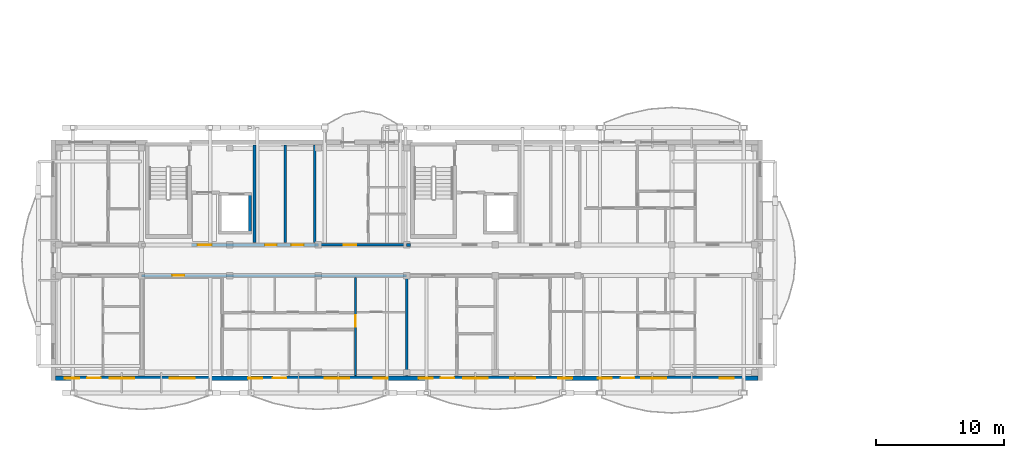
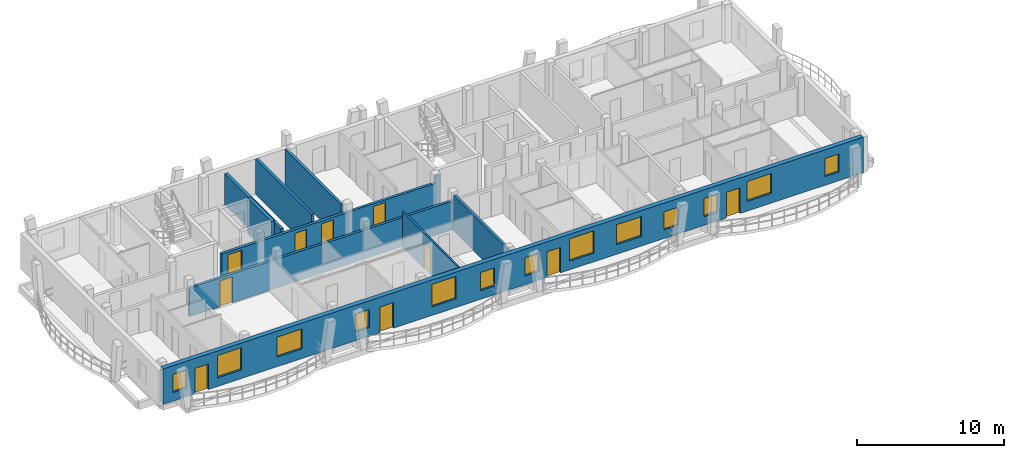
# One storey, part 18 of 52: 13 windows, 11 walls, 10 doors, 23 openings.
"""IFC4 building model written with IfcOpenShell, lengths in metres."""

from ifc_helpers import new_model, si_unit, direction, frame, frame_2d, origin, origin_with_axes, place, context, subcontext, project, spatial, rectangle, extrude, material, layer, layer_set, type_object, element, fill, save


model = new_model("IFC4")

# Units and contexts
model_context = context("Model", 3, precision=1e-05, world=origin(), true_north=direction((0.0, 1.0)))
body_context = subcontext(model_context, "Body", "Model", "MODEL_VIEW")
ifc_project = project(units=[si_unit("LENGTHUNIT", "METRE"), si_unit("AREAUNIT", "SQUARE_METRE"), si_unit("VOLUMEUNIT", "CUBIC_METRE"), si_unit("PLANEANGLEUNIT", "RADIAN"), si_unit("MASSUNIT", "GRAM", prefix="KILO")], contexts=[model_context])

# Site, building, storey
site_placement = place(None, origin())
site = spatial("IfcSite", under=ifc_project, at=site_placement, CompositionType="ELEMENT")
building_placement = place(site_placement, origin())
building = spatial("IfcBuilding", under=site, at=building_placement, Name="Zavelmont Quarter", CompositionType="ELEMENT")
storey_placement = place(building_placement, frame((0.0, 0.0, 14.39990234375)))
storey = spatial("IfcBuildingStorey", under=building, at=storey_placement, Name="L04", CompositionType="ELEMENT", Elevation=14.39990234375)

# Wall, openings, doors, windows
ifc_material_1 = material(Name="Natural Belgian limestone", Category="masonry")
ifc_layer_1 = layer(ifc_material_1, 0.360107421875)
ifc_layer_set_1 = layer_set([ifc_layer_1], Name="Natural Belgian limestone")
wall_type_1 = type_object("IfcWallType", Name="EW02", PredefinedType="STANDARD", material=ifc_layer_set_1)
wall_1_placement = place(storey_placement, frame((0.169921875, 0.0, 0.0), z_axis=(0.0, 0.0, 1.0), x_axis=(1.0, 0.0, 0.0)))
wall_1 = element("IfcWall", 1, at=wall_1_placement, inside=storey, type_object=wall_type_1, Name="L04 exterior limestone wall EW02", PredefinedType="STANDARD", context=body_context, shape_type="SweptSolid", body=[
    extrude(rectangle(XDim=54.860107421875, YDim=0.360107421875, at=frame_2d((27.43017578125, 0.0))), origin(), (0.0, 0.0, 1.0), 2.940185546875),
])
opening_1_placement = place(wall_1_placement, frame((2.48486328125, 0.0, 0.0)))
opening_1 = element("IfcOpeningElement", 2, at=opening_1_placement, cuts=wall_1, Name="Opening DR04A", PredefinedType="OPENING", context=body_context, shape_type="SweptSolid", body=[
    extrude(rectangle(XDim=1.050048828125, YDim=2.1201171875, at=frame_2d((0.52490234375, 1.06005859375))), frame((0.0, 0.19189453125, 0.0), z_axis=(0.0, -1.0, 0.0), x_axis=(1.0, 0.0, 0.0)), (0.0, 0.0, 1.0), 0.384033203125),
])
opening_2_placement = place(wall_1_placement, frame((16.98486328125, 0.0, 0.0)))
opening_2 = element("IfcOpeningElement", 3, at=opening_2_placement, cuts=wall_1, Name="Opening DR04A", PredefinedType="OPENING", context=body_context, shape_type="SweptSolid", body=[
    extrude(rectangle(XDim=1.050048828125, YDim=2.1201171875, at=frame_2d((0.52490234375, 1.06005859375))), frame((0.0, 0.19189453125, 0.0), z_axis=(0.0, -1.0, 0.0), x_axis=(1.0, 0.0, 0.0)), (0.0, 0.0, 1.0), 0.384033203125),
])
opening_3_placement = place(wall_1_placement, frame((30.084716796875, 0.0, 0.0)))
opening_3 = element("IfcOpeningElement", 4, at=opening_3_placement, cuts=wall_1, Name="Opening DR04A", PredefinedType="OPENING", context=body_context, shape_type="SweptSolid", body=[
    extrude(rectangle(XDim=1.050048828125, YDim=2.1201171875, at=frame_2d((0.52490234375, 1.06005859375))), frame((0.0, 0.19189453125, 0.0), z_axis=(0.0, -1.0, 0.0), x_axis=(1.0, 0.0, 0.0)), (0.0, 0.0, 1.0), 0.384033203125),
])
opening_4_placement = place(wall_1_placement, frame((44.14111328125, 0.0, 0.0)))
opening_4 = element("IfcOpeningElement", 5, at=opening_4_placement, cuts=wall_1, Name="Opening DR04A", PredefinedType="OPENING", context=body_context, shape_type="SweptSolid", body=[
    extrude(rectangle(XDim=1.050048828125, YDim=2.1201171875, at=frame_2d((0.52490234375, 1.06005859375))), frame((0.0, 0.19189453125, 0.0), z_axis=(0.0, -1.0, 0.0), x_axis=(1.0, 0.0, 0.0)), (0.0, 0.0, 1.0), 0.384033203125),
])
opening_5_placement = place(wall_1_placement, frame((0.75, 0.0, 0.719970703125)))
opening_5 = element("IfcOpeningElement", 6, at=opening_5_placement, cuts=wall_1, Name="Opening WN09", PredefinedType="OPENING", context=body_context, shape_type="SweptSolid", body=[
    extrude(rectangle(XDim=1.10009765625, YDim=1.5, at=frame_2d((0.550048828125, 0.75))), frame((0.0, 0.19189453125, 0.0), z_axis=(0.0, -1.0, 0.0), x_axis=(1.0, 0.0, 0.0)), (0.0, 0.0, 1.0), 0.384033203125),
])
opening_6_placement = place(wall_1_placement, frame((4.25, 0.0, 0.719970703125)))
opening_6 = element("IfcOpeningElement", 7, at=opening_6_placement, cuts=wall_1, Name="Opening WN20", PredefinedType="OPENING", context=body_context, shape_type="SweptSolid", body=[
    extrude(rectangle(XDim=1.89990234375, YDim=1.85009765625, at=frame_2d((0.949951171875, 0.925048828125))), frame((0.0, 0.19189453125, 0.0), z_axis=(0.0, -1.0, 0.0), x_axis=(1.0, 0.0, 0.0)), (0.0, 0.0, 1.0), 0.384033203125),
])
opening_7_placement = place(wall_1_placement, frame((8.925048828125, 0.0, 0.800048828125)))
opening_7 = element("IfcOpeningElement", 8, at=opening_7_placement, cuts=wall_1, Name="Opening WN24", PredefinedType="OPENING", context=body_context, shape_type="SweptSolid", body=[
    extrude(rectangle(XDim=1.949951171875, YDim=1.64990234375, at=frame_2d((0.97509765625, 0.824951171875))), frame((0.0, 0.19189453125, 0.0), z_axis=(0.0, -1.0, 0.0), x_axis=(1.0, 0.0, 0.0)), (0.0, 0.0, 1.0), 0.384033203125),
])
opening_8_placement = place(wall_1_placement, frame((15.050048828125, 0.0, 0.719970703125)))
opening_8 = element("IfcOpeningElement", 9, at=opening_8_placement, cuts=wall_1, Name="Opening WN09", PredefinedType="OPENING", context=body_context, shape_type="SweptSolid", body=[
    extrude(rectangle(XDim=1.10009765625, YDim=1.5, at=frame_2d((0.550048828125, 0.75))), frame((0.0, 0.19189453125, 0.0), z_axis=(0.0, -1.0, 0.0), x_axis=(1.0, 0.0, 0.0)), (0.0, 0.0, 1.0), 0.384033203125),
])
opening_9_placement = place(wall_1_placement, frame((21.050048828125, 0.0, 0.719970703125)))
opening_9 = element("IfcOpeningElement", 10, at=opening_9_placement, cuts=wall_1, Name="Opening WN20", PredefinedType="OPENING", context=body_context, shape_type="SweptSolid", body=[
    extrude(rectangle(XDim=1.89990234375, YDim=1.85009765625, at=frame_2d((0.949951171875, 0.925048828125))), frame((0.0, 0.19189453125, 0.0), z_axis=(0.0, -1.0, 0.0), x_axis=(1.0, 0.0, 0.0)), (0.0, 0.0, 1.0), 0.384033203125),
])
opening_10_placement = place(wall_1_placement, frame((24.85009765625, 0.0, 0.719970703125)))
opening_10 = element("IfcOpeningElement", 11, at=opening_10_placement, cuts=wall_1, Name="Opening WN09", PredefinedType="OPENING", context=body_context, shape_type="SweptSolid", body=[
    extrude(rectangle(XDim=1.10009765625, YDim=1.5, at=frame_2d((0.550048828125, 0.75))), frame((0.0, 0.19189453125, 0.0), z_axis=(0.0, -1.0, 0.0), x_axis=(1.0, 0.0, 0.0)), (0.0, 0.0, 1.0), 0.384033203125),
])
opening_11_placement = place(wall_1_placement, frame((28.35009765625, 0.0, 0.719970703125)))
opening_11 = element("IfcOpeningElement", 12, at=opening_11_placement, cuts=wall_1, Name="Opening WN09", PredefinedType="OPENING", context=body_context, shape_type="SweptSolid", body=[
    extrude(rectangle(XDim=1.10009765625, YDim=1.5, at=frame_2d((0.550048828125, 0.75))), frame((0.0, 0.19189453125, 0.0), z_axis=(0.0, -1.0, 0.0), x_axis=(1.0, 0.0, 0.0)), (0.0, 0.0, 1.0), 0.384033203125),
])
opening_12_placement = place(wall_1_placement, frame((31.85009765625, 0.0, 0.719970703125)))
opening_12 = element("IfcOpeningElement", 13, at=opening_12_placement, cuts=wall_1, Name="Opening WN20", PredefinedType="OPENING", context=body_context, shape_type="SweptSolid", body=[
    extrude(rectangle(XDim=1.89990234375, YDim=1.85009765625, at=frame_2d((0.949951171875, 0.925048828125))), frame((0.0, 0.19189453125, 0.0), z_axis=(0.0, -1.0, 0.0), x_axis=(1.0, 0.0, 0.0)), (0.0, 0.0, 1.0), 0.384033203125),
])
opening_13_placement = place(wall_1_placement, frame((35.52490234375, 0.0, 0.800048828125)))
opening_13 = element("IfcOpeningElement", 14, at=opening_13_placement, cuts=wall_1, Name="Opening WN24", PredefinedType="OPENING", context=body_context, shape_type="SweptSolid", body=[
    extrude(rectangle(XDim=1.949951171875, YDim=1.64990234375, at=frame_2d((0.97509765625, 0.824951171875))), frame((0.0, 0.19189453125, 0.0), z_axis=(0.0, -1.0, 0.0), x_axis=(1.0, 0.0, 0.0)), (0.0, 0.0, 1.0), 0.384033203125),
])
opening_14_placement = place(wall_1_placement, frame((39.25, 0.0, 0.719970703125)))
opening_14 = element("IfcOpeningElement", 15, at=opening_14_placement, cuts=wall_1, Name="Opening WN09", PredefinedType="OPENING", context=body_context, shape_type="SweptSolid", body=[
    extrude(rectangle(XDim=1.10009765625, YDim=1.5, at=frame_2d((0.550048828125, 0.75))), frame((0.0, 0.19189453125, 0.0), z_axis=(0.0, -1.0, 0.0), x_axis=(1.0, 0.0, 0.0)), (0.0, 0.0, 1.0), 0.384033203125),
])
opening_15_placement = place(wall_1_placement, frame((42.35009765625, 0.0, 0.719970703125)))
opening_15 = element("IfcOpeningElement", 16, at=opening_15_placement, cuts=wall_1, Name="Opening WN09", PredefinedType="OPENING", context=body_context, shape_type="SweptSolid", body=[
    extrude(rectangle(XDim=1.10009765625, YDim=1.5, at=frame_2d((0.550048828125, 0.75))), frame((0.0, 0.19189453125, 0.0), z_axis=(0.0, -1.0, 0.0), x_axis=(1.0, 0.0, 0.0)), (0.0, 0.0, 1.0), 0.384033203125),
])
opening_16_placement = place(wall_1_placement, frame((45.72509765625, 0.0, 0.800048828125)))
opening_16 = element("IfcOpeningElement", 17, at=opening_16_placement, cuts=wall_1, Name="Opening WN24", PredefinedType="OPENING", context=body_context, shape_type="SweptSolid", body=[
    extrude(rectangle(XDim=1.949951171875, YDim=1.64990234375, at=frame_2d((0.97509765625, 0.824951171875))), frame((0.0, 0.19189453125, 0.0), z_axis=(0.0, -1.0, 0.0), x_axis=(1.0, 0.0, 0.0)), (0.0, 0.0, 1.0), 0.384033203125),
])
opening_17_placement = place(wall_1_placement, frame((51.85009765625, 0.0, 0.719970703125)))
opening_17 = element("IfcOpeningElement", 18, at=opening_17_placement, cuts=wall_1, Name="Opening WN09", PredefinedType="OPENING", context=body_context, shape_type="SweptSolid", body=[
    extrude(rectangle(XDim=1.10009765625, YDim=1.5, at=frame_2d((0.550048828125, 0.75))), frame((0.0, 0.19189453125, 0.0), z_axis=(0.0, -1.0, 0.0), x_axis=(1.0, 0.0, 0.0)), (0.0, 0.0, 1.0), 0.384033203125),
])
ifc_material_2 = material(Name="Thermally broken aluminium and double safety glass", Category="aluminium")
door_type_1 = type_object("IfcDoorType", Name="DR04A", OperationType="NOTDEFINED", PredefinedType="DOOR", material=ifc_material_2)
door_1_placement = place(opening_1_placement, origin_with_axes())
door_1 = element("IfcDoor", 19, at=door_1_placement, inside=storey, type_object=door_type_1, Name="Block A L04 glazed balcony door", OperationType="SINGLE_SWING_RIGHT", OverallHeight=2.1201171875, OverallWidth=1.050048828125, PredefinedType="DOOR", context=body_context, shape_type="SweptSolid", body=[
    extrude(rectangle(XDim=1.050048828125, YDim=2.1201171875, at=frame_2d((0.52490234375, 1.06005859375))), frame((0.0, 0.02490234375, 0.0), z_axis=(0.0, -1.0, 0.0), x_axis=(1.0, 0.0, 0.0)), (0.0, 0.0, 1.0), 0.050048828125),
])
fill(opening_1, door_1)
door_2_placement = place(opening_2_placement, origin_with_axes())
door_2 = element("IfcDoor", 20, at=door_2_placement, inside=storey, type_object=door_type_1, Name="Block A L04 glazed balcony door", OperationType="SINGLE_SWING_RIGHT", OverallHeight=2.1201171875, OverallWidth=1.050048828125, PredefinedType="DOOR", context=body_context, shape_type="SweptSolid", body=[
    extrude(rectangle(XDim=1.050048828125, YDim=2.1201171875, at=frame_2d((0.52490234375, 1.06005859375))), frame((0.0, 0.02490234375, 0.0), z_axis=(0.0, -1.0, 0.0), x_axis=(1.0, 0.0, 0.0)), (0.0, 0.0, 1.0), 0.050048828125),
])
fill(opening_2, door_2)
door_3_placement = place(opening_3_placement, origin_with_axes())
door_3 = element("IfcDoor", 21, at=door_3_placement, inside=storey, type_object=door_type_1, Name="Block A L04 glazed balcony door", OperationType="SINGLE_SWING_RIGHT", OverallHeight=2.1201171875, OverallWidth=1.050048828125, PredefinedType="DOOR", context=body_context, shape_type="SweptSolid", body=[
    extrude(rectangle(XDim=1.050048828125, YDim=2.1201171875, at=frame_2d((0.52490234375, 1.06005859375))), frame((0.0, 0.02490234375, 0.0), z_axis=(0.0, -1.0, 0.0), x_axis=(1.0, 0.0, 0.0)), (0.0, 0.0, 1.0), 0.050048828125),
])
fill(opening_3, door_3)
door_4_placement = place(opening_4_placement, origin_with_axes())
door_4 = element("IfcDoor", 22, at=door_4_placement, inside=storey, type_object=door_type_1, Name="Block A L04 glazed balcony door", OperationType="SINGLE_SWING_RIGHT", OverallHeight=2.1201171875, OverallWidth=1.050048828125, PredefinedType="DOOR", context=body_context, shape_type="SweptSolid", body=[
    extrude(rectangle(XDim=1.050048828125, YDim=2.1201171875, at=frame_2d((0.52490234375, 1.06005859375))), frame((0.0, 0.02490234375, 0.0), z_axis=(0.0, -1.0, 0.0), x_axis=(1.0, 0.0, 0.0)), (0.0, 0.0, 1.0), 0.050048828125),
])
fill(opening_4, door_4)
ifc_material_3 = material(Name="Double low-E insulated glazing in thermally broken aluminium frame", Category="aluminium")
window_type_1 = type_object("IfcWindowType", Name="WN09", PartitioningType="SINGLE_PANEL", PredefinedType="WINDOW", material=ifc_material_3)
window_1_placement = place(opening_5_placement, origin_with_axes())
window_1 = element("IfcWindow", 23, at=window_1_placement, inside=storey, type_object=window_type_1, Name="L04 window WN09", OverallHeight=1.5, OverallWidth=1.10009765625, PartitioningType="SINGLE_PANEL", PredefinedType="WINDOW", context=body_context, shape_type="SweptSolid", body=[
    extrude(rectangle(XDim=1.10009765625, YDim=1.5, at=frame_2d((0.550048828125, 0.75))), frame((0.0, 0.030029296875, 0.0), z_axis=(0.0, -1.0, 0.0), x_axis=(1.0, 0.0, 0.0)), (0.0, 0.0, 1.0), 0.06005859375),
])
fill(opening_5, window_1)
window_2_placement = place(opening_8_placement, origin_with_axes())
window_2 = element("IfcWindow", 24, at=window_2_placement, inside=storey, type_object=window_type_1, Name="L04 window WN09", OverallHeight=1.5, OverallWidth=1.10009765625, PartitioningType="SINGLE_PANEL", PredefinedType="WINDOW", context=body_context, shape_type="SweptSolid", body=[
    extrude(rectangle(XDim=1.10009765625, YDim=1.5, at=frame_2d((0.550048828125, 0.75))), frame((0.0, 0.030029296875, 0.0), z_axis=(0.0, -1.0, 0.0), x_axis=(1.0, 0.0, 0.0)), (0.0, 0.0, 1.0), 0.06005859375),
])
fill(opening_8, window_2)
window_3_placement = place(opening_10_placement, origin_with_axes())
window_3 = element("IfcWindow", 25, at=window_3_placement, inside=storey, type_object=window_type_1, Name="L04 window WN09", OverallHeight=1.5, OverallWidth=1.10009765625, PartitioningType="SINGLE_PANEL", PredefinedType="WINDOW", context=body_context, shape_type="SweptSolid", body=[
    extrude(rectangle(XDim=1.10009765625, YDim=1.5, at=frame_2d((0.550048828125, 0.75))), frame((0.0, 0.030029296875, 0.0), z_axis=(0.0, -1.0, 0.0), x_axis=(1.0, 0.0, 0.0)), (0.0, 0.0, 1.0), 0.06005859375),
])
fill(opening_10, window_3)
window_4_placement = place(opening_11_placement, origin_with_axes())
window_4 = element("IfcWindow", 26, at=window_4_placement, inside=storey, type_object=window_type_1, Name="L04 window WN09", OverallHeight=1.5, OverallWidth=1.10009765625, PartitioningType="SINGLE_PANEL", PredefinedType="WINDOW", context=body_context, shape_type="SweptSolid", body=[
    extrude(rectangle(XDim=1.10009765625, YDim=1.5, at=frame_2d((0.550048828125, 0.75))), frame((0.0, 0.030029296875, 0.0), z_axis=(0.0, -1.0, 0.0), x_axis=(1.0, 0.0, 0.0)), (0.0, 0.0, 1.0), 0.06005859375),
])
fill(opening_11, window_4)
window_5_placement = place(opening_14_placement, origin_with_axes())
window_5 = element("IfcWindow", 27, at=window_5_placement, inside=storey, type_object=window_type_1, Name="L04 window WN09", OverallHeight=1.5, OverallWidth=1.10009765625, PartitioningType="SINGLE_PANEL", PredefinedType="WINDOW", context=body_context, shape_type="SweptSolid", body=[
    extrude(rectangle(XDim=1.10009765625, YDim=1.5, at=frame_2d((0.550048828125, 0.75))), frame((0.0, 0.030029296875, 0.0), z_axis=(0.0, -1.0, 0.0), x_axis=(1.0, 0.0, 0.0)), (0.0, 0.0, 1.0), 0.06005859375),
])
fill(opening_14, window_5)
window_6_placement = place(opening_15_placement, origin_with_axes())
window_6 = element("IfcWindow", 28, at=window_6_placement, inside=storey, type_object=window_type_1, Name="L04 window WN09", OverallHeight=1.5, OverallWidth=1.10009765625, PartitioningType="SINGLE_PANEL", PredefinedType="WINDOW", context=body_context, shape_type="SweptSolid", body=[
    extrude(rectangle(XDim=1.10009765625, YDim=1.5, at=frame_2d((0.550048828125, 0.75))), frame((0.0, 0.030029296875, 0.0), z_axis=(0.0, -1.0, 0.0), x_axis=(1.0, 0.0, 0.0)), (0.0, 0.0, 1.0), 0.06005859375),
])
fill(opening_15, window_6)
window_7_placement = place(opening_17_placement, origin_with_axes())
window_7 = element("IfcWindow", 29, at=window_7_placement, inside=storey, type_object=window_type_1, Name="L04 window WN09", OverallHeight=1.5, OverallWidth=1.10009765625, PartitioningType="SINGLE_PANEL", PredefinedType="WINDOW", context=body_context, shape_type="SweptSolid", body=[
    extrude(rectangle(XDim=1.10009765625, YDim=1.5, at=frame_2d((0.550048828125, 0.75))), frame((0.0, 0.030029296875, 0.0), z_axis=(0.0, -1.0, 0.0), x_axis=(1.0, 0.0, 0.0)), (0.0, 0.0, 1.0), 0.06005859375),
])
fill(opening_17, window_7)
window_type_2 = type_object("IfcWindowType", Name="WN20", PartitioningType="SINGLE_PANEL", PredefinedType="WINDOW", material=ifc_material_3)
window_8_placement = place(opening_6_placement, origin_with_axes())
window_8 = element("IfcWindow", 30, at=window_8_placement, inside=storey, type_object=window_type_2, Name="L04 window WN20", OverallHeight=1.85009765625, OverallWidth=1.89990234375, PartitioningType="SINGLE_PANEL", PredefinedType="WINDOW", context=body_context, shape_type="SweptSolid", body=[
    extrude(rectangle(XDim=1.89990234375, YDim=1.85009765625, at=frame_2d((0.949951171875, 0.925048828125))), frame((0.0, 0.030029296875, 0.0), z_axis=(0.0, -1.0, 0.0), x_axis=(1.0, 0.0, 0.0)), (0.0, 0.0, 1.0), 0.06005859375),
])
fill(opening_6, window_8)
window_9_placement = place(opening_9_placement, origin_with_axes())
window_9 = element("IfcWindow", 31, at=window_9_placement, inside=storey, type_object=window_type_2, Name="L04 window WN20", OverallHeight=1.85009765625, OverallWidth=1.89990234375, PartitioningType="SINGLE_PANEL", PredefinedType="WINDOW", context=body_context, shape_type="SweptSolid", body=[
    extrude(rectangle(XDim=1.89990234375, YDim=1.85009765625, at=frame_2d((0.949951171875, 0.925048828125))), frame((0.0, 0.030029296875, 0.0), z_axis=(0.0, -1.0, 0.0), x_axis=(1.0, 0.0, 0.0)), (0.0, 0.0, 1.0), 0.06005859375),
])
fill(opening_9, window_9)
window_10_placement = place(opening_12_placement, origin_with_axes())
window_10 = element("IfcWindow", 32, at=window_10_placement, inside=storey, type_object=window_type_2, Name="L04 window WN20", OverallHeight=1.85009765625, OverallWidth=1.89990234375, PartitioningType="SINGLE_PANEL", PredefinedType="WINDOW", context=body_context, shape_type="SweptSolid", body=[
    extrude(rectangle(XDim=1.89990234375, YDim=1.85009765625, at=frame_2d((0.949951171875, 0.925048828125))), frame((0.0, 0.030029296875, 0.0), z_axis=(0.0, -1.0, 0.0), x_axis=(1.0, 0.0, 0.0)), (0.0, 0.0, 1.0), 0.06005859375),
])
fill(opening_12, window_10)
window_type_3 = type_object("IfcWindowType", Name="WN24", PartitioningType="SINGLE_PANEL", PredefinedType="WINDOW", material=ifc_material_3)
window_11_placement = place(opening_7_placement, origin_with_axes())
window_11 = element("IfcWindow", 33, at=window_11_placement, inside=storey, type_object=window_type_3, Name="L04 window WN24", OverallHeight=1.64990234375, OverallWidth=1.949951171875, PartitioningType="SINGLE_PANEL", PredefinedType="WINDOW", context=body_context, shape_type="SweptSolid", body=[
    extrude(rectangle(XDim=1.949951171875, YDim=1.64990234375, at=frame_2d((0.97509765625, 0.824951171875))), frame((0.0, 0.030029296875, 0.0), z_axis=(0.0, -1.0, 0.0), x_axis=(1.0, 0.0, 0.0)), (0.0, 0.0, 1.0), 0.06005859375),
])
fill(opening_7, window_11)
window_12_placement = place(opening_13_placement, origin_with_axes())
window_12 = element("IfcWindow", 34, at=window_12_placement, inside=storey, type_object=window_type_3, Name="L04 window WN24", OverallHeight=1.64990234375, OverallWidth=1.949951171875, PartitioningType="SINGLE_PANEL", PredefinedType="WINDOW", context=body_context, shape_type="SweptSolid", body=[
    extrude(rectangle(XDim=1.949951171875, YDim=1.64990234375, at=frame_2d((0.97509765625, 0.824951171875))), frame((0.0, 0.030029296875, 0.0), z_axis=(0.0, -1.0, 0.0), x_axis=(1.0, 0.0, 0.0)), (0.0, 0.0, 1.0), 0.06005859375),
])
fill(opening_13, window_12)
window_13_placement = place(opening_16_placement, origin_with_axes())
window_13 = element("IfcWindow", 35, at=window_13_placement, inside=storey, type_object=window_type_3, Name="L04 window WN24", OverallHeight=1.64990234375, OverallWidth=1.949951171875, PartitioningType="SINGLE_PANEL", PredefinedType="WINDOW", context=body_context, shape_type="SweptSolid", body=[
    extrude(rectangle(XDim=1.949951171875, YDim=1.64990234375, at=frame_2d((0.97509765625, 0.824951171875))), frame((0.0, 0.030029296875, 0.0), z_axis=(0.0, -1.0, 0.0), x_axis=(1.0, 0.0, 0.0)), (0.0, 0.0, 1.0), 0.06005859375),
])
fill(opening_16, window_13)

# Walls
ifc_material_4 = material(Name="Calcium-silicate blockwork and acoustic plaster", Category="masonry")
ifc_layer_2 = layer(ifc_material_4, 0.199951171875)
ifc_layer_set_2 = layer_set([ifc_layer_2], Name="Calcium-silicate blockwork and acoustic plaster")
wall_type_2 = type_object("IfcWallType", Name="IW01", PredefinedType="PARTITIONING", material=ifc_layer_set_2)
for number, where, z_axis, x_axis, name in (
    (36, (18.125, 10.60009765625, 0.0), (0.0, 0.0, 1.0), (0.0, 1.0, 0.0), "L04 Service riser divider wall IW01"),
    (37, (20.419921875, 10.60009765625, 0.0), (0.0, 0.0, 1.0), (0.0, 1.0, 0.0), "L04 Core service end wall IW01"),
):
    element("IfcWall", number, at=place(storey_placement, frame(where, z_axis=z_axis, x_axis=x_axis)), inside=storey, type_object=wall_type_2, Name=name, PredefinedType="PARTITIONING", context=body_context, shape_type="SweptSolid", body=[
        extrude(rectangle(XDim=7.599853515625, YDim=0.199951171875, at=frame_2d((3.7998046875, 0.0))), origin(), (0.0, 0.0, 1.0), 2.940185546875),
    ])
wall_2_placement = place(storey_placement, frame((27.60009765625, 7.85009765625, 0.0), z_axis=(0.0, 0.0, 1.0), x_axis=(0.0, -1.0, 0.0)))
element("IfcWall", 38, at=wall_2_placement, inside=storey, type_object=wall_type_2, Name="L04 Inter-dwelling compartment wall IW01", PredefinedType="PARTITIONING", context=body_context, shape_type="SweptSolid", body=[
    extrude(rectangle(XDim=7.7001953125, YDim=0.199951171875, at=frame_2d((3.85009765625, 0.0))), origin(), (0.0, 0.0, 1.0), 2.940185546875),
])

# Wall, opening, door
wall_3_placement = place(storey_placement, frame((6.89990234375, 8.0, 0.0), z_axis=(0.0, 0.0, 1.0), x_axis=(1.0, 0.0, 0.0)))
wall_3 = element("IfcWall", 39, at=wall_3_placement, inside=storey, type_object=wall_type_2, Name="L04 Corridor compartment wall IW01", PredefinedType="PARTITIONING", context=body_context, shape_type="SweptSolid", body=[
    extrude(rectangle(XDim=20.7001953125, YDim=0.199951171875, at=frame_2d((10.35009765625, 0.0))), origin(), (0.0, 0.0, 1.0), 2.380126953125),
])
opening_18_placement = place(wall_3_placement, frame((2.39990234375, 0.0, 0.0)))
opening_18 = element("IfcOpeningElement", 40, at=opening_18_placement, cuts=wall_3, Name="Opening DR02", PredefinedType="OPENING", context=body_context, shape_type="SweptSolid", body=[
    extrude(rectangle(XDim=0.949951171875, YDim=2.14990234375, at=frame_2d((0.47509765625, 1.074951171875))), frame((0.0, 0.11181640625, 0.0), z_axis=(0.0, -1.0, 0.0), x_axis=(1.0, 0.0, 0.0)), (0.0, 0.0, 1.0), 0.223876953125),
])
ifc_material_5 = material(Name="Solid-core oak fire leaf in steel frame", Category="steel")
door_type_2 = type_object("IfcDoorType", Name="DR02", OperationType="NOTDEFINED", PredefinedType="DOOR", material=ifc_material_5)
door_5_placement = place(opening_18_placement, frame((0.949951171875, 0.0, 0.0), z_axis=(0.0, 0.0, 1.0), x_axis=(-1.0, 0.0, 0.0)))
door_5 = element("IfcDoor", 41, at=door_5_placement, inside=storey, type_object=door_type_2, Name="L04 door DR02", OperationType="SINGLE_SWING_RIGHT", OverallHeight=2.14990234375, OverallWidth=0.949951171875, PredefinedType="DOOR", context=body_context, shape_type="SweptSolid", body=[
    extrude(rectangle(XDim=0.949951171875, YDim=2.14990234375, at=frame_2d((0.47509765625, 1.074951171875))), frame((0.0, 0.02490234375, 0.0), z_axis=(0.0, -1.0, 0.0), x_axis=(1.0, 0.0, 0.0)), (0.0, 0.0, 1.0), 0.050048828125),
])
fill(opening_18, door_5)

wall_4_placement = place(storey_placement, frame((20.699951171875, 10.39990234375, 0.0), z_axis=(0.0, 0.0, 1.0), x_axis=(1.0, 0.0, 0.0)))
wall_4 = element("IfcWall", 42, at=wall_4_placement, inside=storey, type_object=wall_type_2, Name="L04 Corridor compartment wall IW01", PredefinedType="PARTITIONING", context=body_context, shape_type="SweptSolid", body=[
    extrude(rectangle(XDim=6.900146484375, YDim=0.199951171875, at=frame_2d((3.4501953125, 0.0))), origin(), (0.0, 0.0, 1.0), 2.380126953125),
])
opening_19_placement = place(wall_4_placement, frame((2.0, 0.0, 0.0)))
opening_19 = element("IfcOpeningElement", 43, at=opening_19_placement, cuts=wall_4, Name="Opening DR02", PredefinedType="OPENING", context=body_context, shape_type="SweptSolid", body=[
    extrude(rectangle(XDim=0.949951171875, YDim=2.14990234375, at=frame_2d((0.47509765625, 1.074951171875))), frame((0.0, 0.11181640625, 0.0), z_axis=(0.0, -1.0, 0.0), x_axis=(1.0, 0.0, 0.0)), (0.0, 0.0, 1.0), 0.223876953125),
])
door_6_placement = place(opening_19_placement, origin_with_axes())
door_6 = element("IfcDoor", 44, at=door_6_placement, inside=storey, type_object=door_type_2, Name="L04 door DR02", OperationType="SINGLE_SWING_LEFT", OverallHeight=2.14990234375, OverallWidth=0.949951171875, PredefinedType="DOOR", context=body_context, shape_type="SweptSolid", body=[
    extrude(rectangle(XDim=0.949951171875, YDim=2.14990234375, at=frame_2d((0.47509765625, 1.074951171875))), frame((0.0, 0.02490234375, 0.0), z_axis=(0.0, -1.0, 0.0), x_axis=(1.0, 0.0, 0.0)), (0.0, 0.0, 1.0), 0.050048828125),
])
fill(opening_19, door_6)

# Wall
ifc_material_6 = material(Name="Reinforced masonry fire compartment wall", Category="masonry")
ifc_layer_3 = layer(ifc_material_6, 0.22509765625)
ifc_layer_set_3 = layer_set([ifc_layer_3], Name="Reinforced masonry fire compartment wall")
wall_type_3 = type_object("IfcWallType", Name="IW02", PredefinedType="PARTITIONING", material=ifc_layer_set_3)
wall_5_placement = place(storey_placement, frame((15.7099609375, 10.60009765625, 0.0), z_axis=(0.0, 0.0, 1.0), x_axis=(0.0, 1.0, 0.0)))
element("IfcWall", 45, at=wall_5_placement, inside=storey, type_object=wall_type_3, Name="L04 Firefighting lobby enclosure wall IW02", PredefinedType="PARTITIONING", context=body_context, shape_type="SweptSolid", body=[
    extrude(rectangle(XDim=7.599853515625, YDim=0.22509765625, at=frame_2d((3.7998046875, 0.0))), origin(), (0.0, 0.0, 1.0), 2.590087890625),
])

# Wall, openings, doors
wall_6_placement = place(storey_placement, frame((10.800048828125, 10.39990234375, 0.0), z_axis=(0.0, 0.0, 1.0), x_axis=(1.0, 0.0, 0.0)))
wall_6 = element("IfcWall", 46, at=wall_6_placement, inside=storey, type_object=wall_type_3, Name="L04 Core corridor fire wall IW02", PredefinedType="PARTITIONING", context=body_context, shape_type="SweptSolid", body=[
    extrude(rectangle(XDim=9.89990234375, YDim=0.22509765625, at=frame_2d((4.949951171875, 0.0))), origin(), (0.0, 0.0, 1.0), 2.380126953125),
])
opening_20_placement = place(wall_6_placement, frame((0.47509765625, 0.0, 0.0)))
opening_20 = element("IfcOpeningElement", 47, at=opening_20_placement, cuts=wall_6, Name="Opening DR10", PredefinedType="OPENING", context=body_context, shape_type="SweptSolid", body=[
    extrude(rectangle(XDim=1.10009765625, YDim=2.14990234375, at=frame_2d((0.550048828125, 1.074951171875))), frame((0.0, 0.12451171875, 0.0), z_axis=(0.0, -1.0, 0.0), x_axis=(1.0, 0.0, 0.0)), (0.0, 0.0, 1.0), 0.2490234375),
])
opening_21_placement = place(wall_6_placement, frame((5.75, 0.0, 0.0)))
opening_21 = element("IfcOpeningElement", 48, at=opening_21_placement, cuts=wall_6, Name="Opening DR11", PredefinedType="OPENING", context=body_context, shape_type="SweptSolid", body=[
    extrude(rectangle(XDim=0.89990234375, YDim=2.10009765625, at=frame_2d((0.449951171875, 1.050048828125))), frame((0.0, 0.12451171875, 0.0), z_axis=(0.0, -1.0, 0.0), x_axis=(1.0, 0.0, 0.0)), (0.0, 0.0, 1.0), 0.2490234375),
])
opening_22_placement = place(wall_6_placement, frame((7.800048828125, 0.0, 0.0)))
opening_22 = element("IfcOpeningElement", 49, at=opening_22_placement, cuts=wall_6, Name="Opening DR02", PredefinedType="OPENING", context=body_context, shape_type="SweptSolid", body=[
    extrude(rectangle(XDim=0.949951171875, YDim=2.14990234375, at=frame_2d((0.47509765625, 1.074951171875))), frame((0.0, 0.12451171875, 0.0), z_axis=(0.0, -1.0, 0.0), x_axis=(1.0, 0.0, 0.0)), (0.0, 0.0, 1.0), 0.2490234375),
])
door_7_placement = place(opening_22_placement, frame((0.949951171875, 0.0, 0.0), z_axis=(0.0, 0.0, 1.0), x_axis=(-1.0, 0.0, 0.0)))
door_7 = element("IfcDoor", 50, at=door_7_placement, inside=storey, type_object=door_type_2, Name="Auxiliary store corridor door", OperationType="SINGLE_SWING_RIGHT", OverallHeight=2.14990234375, OverallWidth=0.949951171875, PredefinedType="DOOR", context=body_context, shape_type="SweptSolid", body=[
    extrude(rectangle(XDim=0.949951171875, YDim=2.14990234375, at=frame_2d((0.47509765625, 1.074951171875))), frame((0.0, 0.02490234375, 0.0), z_axis=(0.0, -1.0, 0.0), x_axis=(1.0, 0.0, 0.0)), (0.0, 0.0, 1.0), 0.050048828125),
])
fill(opening_22, door_7)
ifc_material_7 = material(Name="Painted steel lobby fire door", Category="steel")
door_type_3 = type_object("IfcDoorType", Name="DR10", OperationType="NOTDEFINED", PredefinedType="DOOR", material=ifc_material_7)
door_8_placement = place(opening_20_placement, origin_with_axes())
door_8 = element("IfcDoor", 51, at=door_8_placement, inside=storey, type_object=door_type_3, Name="Core vestibule fire door", OperationType="SINGLE_SWING_LEFT", OverallHeight=2.14990234375, OverallWidth=1.10009765625, PredefinedType="DOOR", context=body_context, shape_type="SweptSolid", body=[
    extrude(rectangle(XDim=1.10009765625, YDim=2.14990234375, at=frame_2d((0.550048828125, 1.074951171875))), frame((0.0, 0.02490234375, 0.0), z_axis=(0.0, -1.0, 0.0), x_axis=(1.0, 0.0, 0.0)), (0.0, 0.0, 1.0), 0.050048828125),
])
fill(opening_20, door_8)
ifc_material_8 = material(Name="Painted steel service-riser fire door", Category="steel")
door_type_4 = type_object("IfcDoorType", Name="DR11", OperationType="NOTDEFINED", PredefinedType="DOOR", material=ifc_material_8)
door_9_placement = place(opening_21_placement, frame((0.89990234375, 0.0, 0.0), z_axis=(0.0, 0.0, 1.0), x_axis=(-1.0, 0.0, 0.0)))
door_9 = element("IfcDoor", 52, at=door_9_placement, inside=storey, type_object=door_type_4, Name="Service riser fire door", OperationType="SINGLE_SWING_LEFT", OverallHeight=2.10009765625, OverallWidth=0.89990234375, PredefinedType="DOOR", context=body_context, shape_type="SweptSolid", body=[
    extrude(rectangle(XDim=0.89990234375, YDim=2.10009765625, at=frame_2d((0.449951171875, 1.050048828125))), frame((0.0, 0.02490234375, 0.0), z_axis=(0.0, -1.0, 0.0), x_axis=(1.0, 0.0, 0.0)), (0.0, 0.0, 1.0), 0.050048828125),
])
fill(opening_21, door_9)

# Wall
wall_7_placement = place(storey_placement, frame((27.60009765625, 10.39990234375, 0.0), z_axis=(0.0, 0.0, 1.0), x_axis=(1.0, 0.0, 0.0)))
element("IfcWall", 53, at=wall_7_placement, inside=storey, type_object=wall_type_3, Name="L04 Core corridor wall IW02", PredefinedType="PARTITIONING", context=body_context, shape_type="SweptSolid", body=[
    extrude(rectangle(XDim=0.2998046875, YDim=0.22509765625, at=frame_2d((0.14990234375, 0.0))), origin(), (0.0, 0.0, 1.0), 2.940185546875),
])

# Wall, opening, door
ifc_material_9 = material(Name="Double gypsum board on acoustic steel stud", Category="steel")
ifc_layer_4 = layer(ifc_material_9, 0.125)
ifc_layer_set_4 = layer_set([ifc_layer_4], Name="Double gypsum board on acoustic steel stud")
wall_type_4 = type_object("IfcWallType", Name="IW03", PredefinedType="PARTITIONING", material=ifc_layer_set_4)
wall_8_placement = place(storey_placement, frame((23.60009765625, 7.85009765625, 0.0), z_axis=(0.0, 0.0, 1.0), x_axis=(0.0, -1.0, 0.0)))
wall_8 = element("IfcWall", 54, at=wall_8_placement, inside=storey, type_object=wall_type_4, Name="L04 Partition IW03", PredefinedType="PARTITIONING", context=body_context, shape_type="SweptSolid", body=[
    extrude(rectangle(XDim=7.650146484375, YDim=0.125, at=frame_2d((3.8251953125, 0.0))), origin(), (0.0, 0.0, 1.0), 2.940185546875),
])
opening_23_placement = place(wall_8_placement, frame((2.949951171875, 0.0, 0.0)))
opening_23 = element("IfcOpeningElement", 55, at=opening_23_placement, cuts=wall_8, Name="Opening DR05", PredefinedType="OPENING", context=body_context, shape_type="SweptSolid", body=[
    extrude(rectangle(XDim=0.89990234375, YDim=2.10009765625, at=frame_2d((0.449951171875, 1.050048828125))), frame((0.0, 0.074462890625, 0.0), z_axis=(0.0, -1.0, 0.0), x_axis=(1.0, 0.0, 0.0)), (0.0, 0.0, 1.0), 0.14892578125),
])
ifc_material_10 = material(Name="Engineered oak flush interior door")
door_type_5 = type_object("IfcDoorType", Name="DR05", OperationType="NOTDEFINED", PredefinedType="DOOR", material=ifc_material_10)
door_10_placement = place(opening_23_placement, frame((0.89990234375, 0.0, 0.0), z_axis=(0.0, 0.0, 1.0), x_axis=(-1.0, 0.0, 0.0)))
door_10 = element("IfcDoor", 56, at=door_10_placement, inside=storey, type_object=door_type_5, Name="L04 door DR05", OperationType="SINGLE_SWING_LEFT", OverallHeight=2.10009765625, OverallWidth=0.89990234375, PredefinedType="DOOR", context=body_context, shape_type="SweptSolid", body=[
    extrude(rectangle(XDim=0.89990234375, YDim=2.10009765625, at=frame_2d((0.449951171875, 1.050048828125))), frame((0.0, 0.02490234375, 0.0), z_axis=(0.0, -1.0, 0.0), x_axis=(1.0, 0.0, 0.0)), (0.0, 0.0, 1.0), 0.050048828125),
])
fill(opening_23, door_10)

# Wall
ifc_material_11 = material(Name="Concrete C40/50", Category="concrete")
ifc_layer_5 = layer(ifc_material_11, 0.25)
ifc_layer_set_5 = layer_set([ifc_layer_5], Name="Concrete C40/50")
wall_type_5 = type_object("IfcWallType", Name="SW02", PredefinedType="SHEAR", material=ifc_layer_set_5)
wall_9_placement = place(storey_placement, frame((15.375, 11.25, 0.0), z_axis=(0.0, 0.0, 1.0), x_axis=(0.0, 1.0, 0.0)))
element("IfcWall", 57, at=wall_9_placement, inside=storey, type_object=wall_type_5, Name="L04 Lift FL01 east shaft wall SW02", PredefinedType="SHEAR", context=body_context, shape_type="SweptSolid", body=[
    extrude(rectangle(XDim=3.25, YDim=0.25, at=frame_2d((1.625, 0.0))), origin(), (0.0, 0.0, 1.0), 2.940185546875),
])

save(model, "model.ifc")
